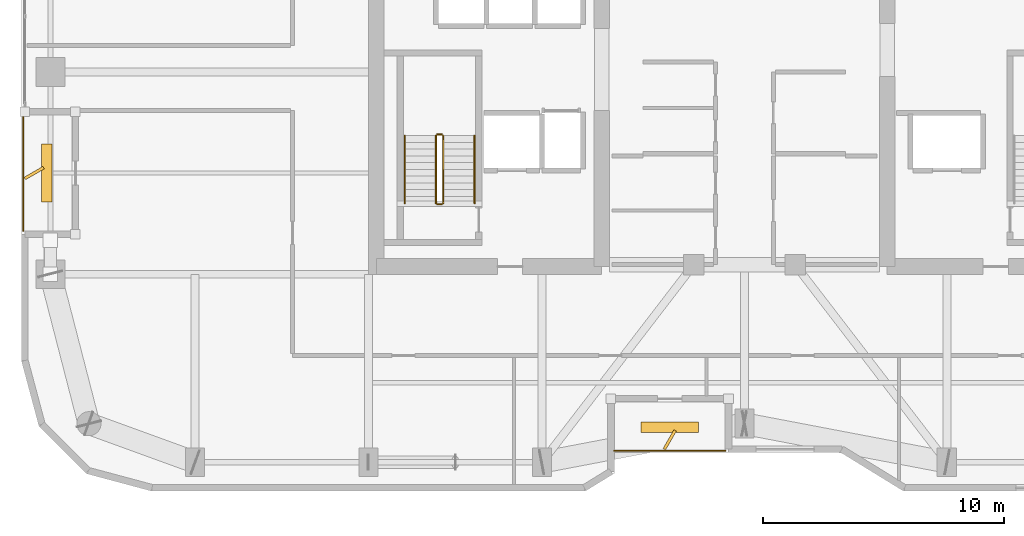
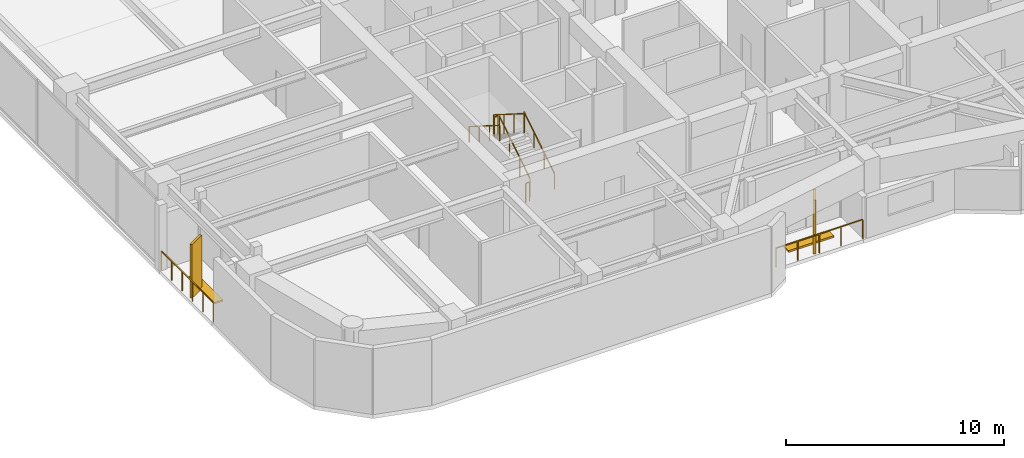
# One storey, part 28 of 30: 8 railings, 4 shading devices.
"""IFC4 building model written with IfcOpenShell, lengths in metres."""

import ifcopenshell
import ifcopenshell.guid

model = None  # the IFC model being written
_history = None  # IfcOwnerHistory: only IFC2X3 demands one
_inside = {}  # id of a spatial element -> (the spatial element, [elements in it])
_under = {}  # id of a project, library or spatial element -> (it, [spatial elements below it])
_declared = {}  # id of a project -> (the project, [libraries it declares])
_typed = {}  # id of a type object -> (the type object, [elements of that type])
_made_of = {}  # id of a material, layer set ... -> (it, [elements and type objects made of it])


def new_model(schema):
    """Start an empty IFC model of exactly this schema.

    Asked for "IFC4X3", IfcOpenShell would pick the latest addendum, in which some entities
    have other attributes; the version numbers below select the first issue.
    IFC2X3 requires an IfcOwnerHistory on every rooted entity: one is made here for all.
    """
    global model, _history
    if schema == "IFC4X3":
        model = ifcopenshell.file(schema_version=(4, 3, 0, 0))
    else:
        model = ifcopenshell.file(schema=schema)
    _inside.clear()
    _under.clear()
    _declared.clear()
    _typed.clear()
    _made_of.clear()
    _history = None
    if model.schema == "IFC2X3":
        org = make("IfcOrganization", Name="unknown")
        user = make(
            "IfcPersonAndOrganization",
            ThePerson=make("IfcPerson", FamilyName="unknown"),
            TheOrganization=org,
        )
        app = make(
            "IfcApplication",
            ApplicationDeveloper=org,
            Version="unknown",
            ApplicationFullName="unknown",
            ApplicationIdentifier="unknown",
        )
        _history = make(
            "IfcOwnerHistory",
            OwningUser=user,
            OwningApplication=app,
            ChangeAction="ADDED",
            CreationDate=0,
        )
    return model


def make(cls, **values):
    """One entity of the class cls with the attributes given. An attribute that is None is left unset."""
    return model.create_entity(
        cls, **{name: value for name, value in values.items() if value is not None}
    )


def rooted(cls, **values):
    """An entity with a GlobalId (a new one), such as an element, a storey or a relation."""
    return make(cls, GlobalId=ifcopenshell.guid.new(), OwnerHistory=_history, **values)


def si_unit(unit_type, name, prefix=None):
    """IfcSIUnit, for example si_unit("LENGTHUNIT", "METRE", prefix="MILLI")."""
    return make("IfcSIUnit", UnitType=unit_type, Prefix=prefix, Name=name)


def assignment(units):
    """IfcUnitAssignment: the units of a project."""
    return None if units is None else make("IfcUnitAssignment", Units=units)


def point(xyz):
    """IfcCartesianPoint."""
    return None if xyz is None else make("IfcCartesianPoint", Coordinates=xyz)


def direction(xyz):
    """IfcDirection."""
    return None if xyz is None else make("IfcDirection", DirectionRatios=xyz)


def frame(location, z_axis=None, x_axis=None):
    """IfcAxis2Placement3D, a coordinate frame: its origin and axes. An axis left out is left unset."""
    return make(
        "IfcAxis2Placement3D",
        Location=point(location),
        Axis=direction(z_axis),
        RefDirection=direction(x_axis),
    )


def frame_2d(location, x_axis=None):
    """IfcAxis2Placement2D, a coordinate frame in the plane: its origin and x axis."""
    return make(
        "IfcAxis2Placement2D", Location=point(location), RefDirection=direction(x_axis)
    )


def origin():
    """The frame at (0, 0, 0) with its axes left unset."""
    return frame((0.0, 0.0, 0.0))


def origin_2d():
    """The frame at (0, 0) in the plane with its x axis left unset."""
    return frame_2d((0.0, 0.0))


def place(relative_to, where):
    """IfcLocalPlacement: puts the frame where relative to a parent placement (None: the world)."""
    return make(
        "IfcLocalPlacement", PlacementRelTo=relative_to, RelativePlacement=where
    )


def context(
    kind, dimensions, precision=None, world=None, true_north=None, identifier=None
):
    """IfcGeometricRepresentationContext, for example the 3D "Model" context."""
    return make(
        "IfcGeometricRepresentationContext",
        ContextIdentifier=identifier,
        ContextType=kind,
        CoordinateSpaceDimension=dimensions,
        Precision=precision,
        WorldCoordinateSystem=world,
        TrueNorth=true_north,
    )


def subcontext(parent, identifier, kind, view, scale=None):
    """IfcGeometricRepresentationSubContext, for example "Body" below "Model"."""
    return make(
        "IfcGeometricRepresentationSubContext",
        ContextIdentifier=identifier,
        ContextType=kind,
        ParentContext=parent,
        TargetScale=scale,
        TargetView=view,
    )


def project(units=None, contexts=None):
    """IfcProject with its units and contexts."""
    return rooted(
        "IfcProject",
        Name="project",
        RepresentationContexts=contexts,
        UnitsInContext=assignment(units),
    )


def spatial(cls, under=None, at=None, **own):
    """A site, building, storey or space (cls), placed at a placement, below another one or the project."""
    s = rooted(cls, ObjectPlacement=at, **own)
    if under is not None:
        _under.setdefault(under.id(), (under, []))[1].append(s)
    return s


def profile(cls, at=None, kind="AREA", **sizes):
    """A parametric profile (cls). Its sizes go by their IFC names, for example OverallWidth=200.0."""
    return make(cls, ProfileType=kind, Position=at, **sizes)


def rectangle(**sizes):
    """IfcRectangleProfileDef."""
    return profile("IfcRectangleProfileDef", **sizes)


def extrude(swept, where, along, depth):
    """IfcExtrudedAreaSolid: the profile swept, set in the frame where, extruded along a direction by depth."""
    return make(
        "IfcExtrudedAreaSolid",
        SweptArea=swept,
        Position=where,
        ExtrudedDirection=direction(along),
        Depth=depth,
    )


def shape(context_of_items, identifier, shape_type, items):
    """IfcShapeRepresentation: the items that make up one representation, for example the "Body"."""
    return make(
        "IfcShapeRepresentation",
        ContextOfItems=context_of_items,
        RepresentationIdentifier=identifier,
        RepresentationType=shape_type,
        Items=items,
    )


def material(Name=None, Category=None):
    """IfcMaterial."""
    return make("IfcMaterial", Name=Name, Category=Category)


def made_of(thing, what):
    """Note that an element or type object is made of a material, layer set ...; save() writes the relation."""
    if what is not None:
        _made_of.setdefault(what.id(), (what, []))[1].append(thing)
    return thing


def type_object(cls, material=None, **own):
    """A type object (cls), such as IfcWallType, which elements share."""
    return made_of(rooted(cls, **own), material)


def element(
    cls,
    number,
    at=None,
    inside=None,
    cuts=None,
    type_object=None,
    material=None,
    context=None,
    identifier="Body",
    shape_type=None,
    held_by="IfcProductDefinitionShape",
    body=None,
    shapes=None,
    **own,
):
    """One element of the class cls, such as IfcWall. Its Tag is "e" and its number.

    at: its placement. inside: the storey or other place that contains it. cuts: it is an
    opening in that element (IfcRelVoidsElement). A single representation is given by context,
    identifier, shape_type and body (its items); several are given by shapes. held_by: the class
    of the entity that holds the representations. save() writes the other relations.
    """
    e = rooted(cls, Tag="e%d" % number, ObjectPlacement=at, **own)
    if body is not None:
        shapes = [shape(context, identifier, shape_type, body)]
    if shapes is not None:
        e.Representation = make(held_by, Representations=shapes)
    if inside is not None:
        _inside.setdefault(inside.id(), (inside, []))[1].append(e)
    if cuts is not None:
        rooted(
            "IfcRelVoidsElement", RelatingBuildingElement=cuts, RelatedOpeningElement=e
        )
    if type_object is not None:
        _typed.setdefault(type_object.id(), (type_object, []))[1].append(e)
    return made_of(e, material)


def aggregate(whole, parts):
    """IfcRelAggregates: a whole, such as a stair, and the parts it consists of."""
    return rooted("IfcRelAggregates", RelatingObject=whole, RelatedObjects=parts)


def save(model, path):
    """Write the relations noted so far, then the file.

    IfcRelAggregates (storeys below a building ...), IfcRelContainedInSpatialStructure (elements
    in a storey), IfcRelDefinesByType, IfcRelAssociatesMaterial and IfcRelDeclares: one each for
    every whole, place, type object, material and project.
    """
    for whole, parts in _under.values():
        aggregate(whole, parts)
    for where, things in _inside.values():
        rooted(
            "IfcRelContainedInSpatialStructure",
            RelatedElements=things,
            RelatingStructure=where,
        )
    for kind, things in _typed.values():
        rooted("IfcRelDefinesByType", RelatedObjects=things, RelatingType=kind)
    for what, things in _made_of.values():
        rooted("IfcRelAssociatesMaterial", RelatedObjects=things, RelatingMaterial=what)
    for by, libraries in _declared.values():
        rooted("IfcRelDeclares", RelatingContext=by, RelatedDefinitions=libraries)
    model.write(path)


model = new_model("IFC4")

# Units and contexts
model_context = context("Model", 3, precision=1e-05, world=origin(), true_north=direction((0.0, 1.0)))
body_context = subcontext(model_context, "Body", "Model", "MODEL_VIEW")
ifc_project = project(units=[si_unit("LENGTHUNIT", "METRE"), si_unit("AREAUNIT", "SQUARE_METRE"), si_unit("VOLUMEUNIT", "CUBIC_METRE"), si_unit("PLANEANGLEUNIT", "RADIAN"), si_unit("MASSUNIT", "GRAM", prefix="KILO")], contexts=[model_context])

# Site, building, storey
site_placement = place(None, origin())
site = spatial("IfcSite", under=ifc_project, at=site_placement, CompositionType="ELEMENT")
building_placement = place(site_placement, origin())
building = spatial("IfcBuilding", under=site, at=building_placement, Name="Kiyonajd Concourse Tower", CompositionType="ELEMENT")
storey_placement = place(building_placement, frame((0.0, 0.0, 194.10009765625)))
storey = spatial("IfcBuildingStorey", under=building, at=storey_placement, Name="L49", CompositionType="ELEMENT", Elevation=194.10009765625)

# Railings
ifc_material_1 = material(Name="Thermally Broken Anodised Aluminium", Category="aluminium")
railing_type_1 = type_object("IfcRailingType", Name="RL-GRD-LOG", PredefinedType="GUARDRAIL", material=ifc_material_1)
railing_1_placement = place(storey_placement, frame((42.60009765625, 20.280029296875, 0.0)))
element("IfcRailing", 1, at=railing_1_placement, inside=storey, type_object=railing_type_1, Name="L49 Engawa Loggia Perimeter Guard LOG-S", PredefinedType="GUARDRAIL", context=body_context, shape_type="SweptSolid", body=[
    extrude(rectangle(XDim=0.048095703125, YDim=0.048095703125, at=origin_2d()), frame((0.0, 0.0, 1.076171875), z_axis=(1.0, 0.0, 0.0), x_axis=(0.0, 1.0, 0.0)), (0.0, 0.0, 1.0), 4.599853515625),
    extrude(rectangle(XDim=0.0419921875, YDim=0.0419921875, at=origin_2d()), origin(), (0.0, 0.0, 1.0), 1.052001953125),
    extrude(rectangle(XDim=0.0419921875, YDim=0.0419921875, at=origin_2d()), frame((1.14990234375, 0.0, 0.0)), (0.0, 0.0, 1.0), 1.052001953125),
    extrude(rectangle(XDim=0.0419921875, YDim=0.0419921875, at=origin_2d()), frame((2.2998046875, 0.0, 0.0)), (0.0, 0.0, 1.0), 1.052001953125),
    extrude(rectangle(XDim=0.0419921875, YDim=0.0419921875, at=origin_2d()), frame((3.449951171875, 0.0, 0.0)), (0.0, 0.0, 1.0), 1.052001953125),
    extrude(rectangle(XDim=0.0419921875, YDim=0.0419921875, at=origin_2d()), frame((4.599853515625, 0.0, 0.0)), (0.0, 0.0, 1.0), 1.052001953125),
])
railing_2_placement = place(storey_placement, frame((18.080078125, 34.199951171875, 0.0)))
element("IfcRailing", 2, at=railing_2_placement, inside=storey, type_object=railing_type_1, Name="L49 Engawa Loggia Perimeter Guard LOG-W", PredefinedType="GUARDRAIL", context=body_context, shape_type="SweptSolid", body=[
    extrude(rectangle(XDim=0.048095703125, YDim=0.048095703125, at=origin_2d()), frame((0.0, 0.0, 1.076171875), z_axis=(0.0, -1.0, 0.0), x_axis=(1.0, 0.0, 0.0)), (0.0, 0.0, 1.0), 4.800048828125),
    extrude(rectangle(XDim=0.0419921875, YDim=0.0419921875, at=origin_2d()), origin(), (0.0, 0.0, 1.0), 1.052001953125),
    extrude(rectangle(XDim=0.0419921875, YDim=0.0419921875, at=origin_2d()), frame((0.0, -0.9599609375, 0.0)), (0.0, 0.0, 1.0), 1.052001953125),
    extrude(rectangle(XDim=0.0419921875, YDim=0.0419921875, at=origin_2d()), frame((0.0, -1.919921875, 0.0)), (0.0, 0.0, 1.0), 1.052001953125),
    extrude(rectangle(XDim=0.0419921875, YDim=0.0419921875, at=origin_2d()), frame((0.0, -2.880126953125, 0.0)), (0.0, 0.0, 1.0), 1.052001953125),
    extrude(rectangle(XDim=0.0419921875, YDim=0.0419921875, at=origin_2d()), frame((0.0, -3.840087890625, 0.0)), (0.0, 0.0, 1.0), 1.052001953125),
    extrude(rectangle(XDim=0.0419921875, YDim=0.0419921875, at=origin_2d()), frame((0.0, -4.800048828125, 0.0)), (0.0, 0.0, 1.0), 1.052001953125),
])
ifc_material_2 = material(Name="Steel ASTM A500 Grade C", Category="steel")
railing_type_2 = type_object("IfcRailingType", Name="RL-GRD-STR", PredefinedType="GUARDRAIL", material=ifc_material_2)
railing_3_placement = place(storey_placement, frame((35.5, 30.550048828125, 0.17724609375)))
element("IfcRailing", 3, at=railing_3_placement, inside=storey, type_object=railing_type_2, Name="L49 ST1 stair guard 1", PredefinedType="GUARDRAIL", context=body_context, shape_type="SweptSolid", body=[
    extrude(rectangle(XDim=0.048095703125, YDim=0.048095703125, at=origin_2d()), frame((0.0, 0.0, 1.076171875), z_axis=(0.0, 0.844908973607, 0.534910110503), x_axis=(-1.0, 0.0, 0.0)), (0.0, 0.0, 1.0), 3.31396484375),
    extrude(rectangle(XDim=0.0419921875, YDim=0.0419921875, at=origin_2d()), origin(), (0.0, 0.0, 1.0), 1.052001953125),
    extrude(rectangle(XDim=0.0419921875, YDim=0.0419921875, at=origin_2d()), frame((0.0, 0.933349609375, 0.5908203125)), (0.0, 0.0, 1.0), 1.052001953125),
    extrude(rectangle(XDim=0.0419921875, YDim=0.0419921875, at=origin_2d()), frame((0.0, 1.86669921875, 1.181884765625)), (0.0, 0.0, 1.0), 1.052001953125),
    extrude(rectangle(XDim=0.0419921875, YDim=0.0419921875, at=origin_2d()), frame((0.0, 2.800048828125, 1.772705078125)), (0.0, 0.0, 1.0), 1.052001953125),
])
railing_4_placement = place(storey_placement, frame((35.449951171875, 33.39990234375, 1.949951171875)))
element("IfcRailing", 4, at=railing_4_placement, inside=storey, type_object=railing_type_2, Name="L49 ST1 stair guard 2", PredefinedType="GUARDRAIL", context=body_context, shape_type="SweptSolid", body=[
    extrude(rectangle(XDim=0.048095703125, YDim=0.048095703125, at=origin_2d()), frame((0.0, 0.0, 1.076171875), z_axis=(-1.0, 0.0, 0.0), x_axis=(0.0, -1.0, 0.0)), (0.0, 0.0, 1.0), 0.199951171875),
    extrude(rectangle(XDim=0.0419921875, YDim=0.0419921875, at=origin_2d()), origin(), (0.0, 0.0, 1.0), 1.052001953125),
    extrude(rectangle(XDim=0.0419921875, YDim=0.0419921875, at=origin_2d()), frame((-0.199951171875, 0.0, 0.0)), (0.0, 0.0, 1.0), 1.052001953125),
])
railing_5_placement = place(storey_placement, frame((35.199951171875, 33.35009765625, 2.127197265625)))
element("IfcRailing", 5, at=railing_5_placement, inside=storey, type_object=railing_type_2, Name="L49 ST1 stair guard 3", PredefinedType="GUARDRAIL", context=body_context, shape_type="SweptSolid", body=[
    extrude(rectangle(XDim=0.048095703125, YDim=0.048095703125, at=origin_2d()), frame((0.0, 0.0, 1.076171875), z_axis=(0.0, -0.844908973607, 0.534910110503), x_axis=(1.0, 0.0, 0.0)), (0.0, 0.0, 1.0), 3.31396484375),
    extrude(rectangle(XDim=0.0419921875, YDim=0.0419921875, at=origin_2d()), origin(), (0.0, 0.0, 1.0), 1.052001953125),
    extrude(rectangle(XDim=0.0419921875, YDim=0.0419921875, at=origin_2d()), frame((0.0, -0.933349609375, 0.5908203125)), (0.0, 0.0, 1.0), 1.052001953125),
    extrude(rectangle(XDim=0.0419921875, YDim=0.0419921875, at=origin_2d()), frame((0.0, -1.86669921875, 1.181884765625)), (0.0, 0.0, 1.0), 1.052001953125),
    extrude(rectangle(XDim=0.0419921875, YDim=0.0419921875, at=origin_2d()), frame((0.0, -2.800048828125, 1.772705078125)), (0.0, 0.0, 1.0), 1.052001953125),
])
railing_6_placement = place(storey_placement, frame((35.449951171875, 30.5, 0.0)))
element("IfcRailing", 6, at=railing_6_placement, inside=storey, type_object=railing_type_2, Name="L49 ST1 stair guard 4", PredefinedType="GUARDRAIL", context=body_context, shape_type="SweptSolid", body=[
    extrude(rectangle(XDim=0.048095703125, YDim=0.048095703125, at=origin_2d()), frame((0.0, 0.0, 1.076171875), z_axis=(-1.0, 0.0, 0.0), x_axis=(0.0, -1.0, 0.0)), (0.0, 0.0, 1.0), 0.199951171875),
    extrude(rectangle(XDim=0.0419921875, YDim=0.0419921875, at=origin_2d()), origin(), (0.0, 0.0, 1.0), 1.052001953125),
    extrude(rectangle(XDim=0.0419921875, YDim=0.0419921875, at=origin_2d()), frame((-0.199951171875, 0.0, 0.0)), (0.0, 0.0, 1.0), 1.052001953125),
])
ifc_material_3 = material(Name="Brushed Stainless Steel Cab Assembly", Category="steel")
railing_type_3 = type_object("IfcRailingType", Name="RL-HND-900", PredefinedType="HANDRAIL", material=ifc_material_3)
railing_7_placement = place(storey_placement, frame((36.800048828125, 30.550048828125, 0.17724609375)))
element("IfcRailing", 7, at=railing_7_placement, inside=storey, type_object=railing_type_3, Name="L49 ST1 stair handrail 1", PredefinedType="HANDRAIL", context=body_context, shape_type="SweptSolid", body=[
    extrude(rectangle(XDim=0.048095703125, YDim=0.048095703125, at=origin_2d()), frame((0.0, 0.0, 0.8759765625), z_axis=(0.0, 0.844908973607, 0.534910110503), x_axis=(-1.0, 0.0, 0.0)), (0.0, 0.0, 1.0), 3.31396484375),
    extrude(rectangle(XDim=0.0419921875, YDim=0.0419921875, at=origin_2d()), origin(), (0.0, 0.0, 1.0), 0.851806640625),
    extrude(rectangle(XDim=0.0419921875, YDim=0.0419921875, at=origin_2d()), frame((0.0, 0.933349609375, 0.5908203125)), (0.0, 0.0, 1.0), 0.851806640625),
    extrude(rectangle(XDim=0.0419921875, YDim=0.0419921875, at=origin_2d()), frame((0.0, 1.86669921875, 1.181884765625)), (0.0, 0.0, 1.0), 0.851806640625),
    extrude(rectangle(XDim=0.0419921875, YDim=0.0419921875, at=origin_2d()), frame((0.0, 2.800048828125, 1.772705078125)), (0.0, 0.0, 1.0), 0.851806640625),
])
railing_8_placement = place(storey_placement, frame((33.89990234375, 33.35009765625, 2.127197265625)))
element("IfcRailing", 8, at=railing_8_placement, inside=storey, type_object=railing_type_3, Name="L49 ST1 stair handrail 2", PredefinedType="HANDRAIL", context=body_context, shape_type="SweptSolid", body=[
    extrude(rectangle(XDim=0.048095703125, YDim=0.048095703125, at=origin_2d()), frame((0.0, 0.0, 0.8759765625), z_axis=(0.0, -0.844908973607, 0.534910110503), x_axis=(1.0, 0.0, 0.0)), (0.0, 0.0, 1.0), 3.31396484375),
    extrude(rectangle(XDim=0.0419921875, YDim=0.0419921875, at=origin_2d()), origin(), (0.0, 0.0, 1.0), 0.851806640625),
    extrude(rectangle(XDim=0.0419921875, YDim=0.0419921875, at=origin_2d()), frame((0.0, -0.933349609375, 0.5908203125)), (0.0, 0.0, 1.0), 0.851806640625),
    extrude(rectangle(XDim=0.0419921875, YDim=0.0419921875, at=origin_2d()), frame((0.0, -1.86669921875, 1.181884765625)), (0.0, 0.0, 1.0), 0.851806640625),
    extrude(rectangle(XDim=0.0419921875, YDim=0.0419921875, at=origin_2d()), frame((0.0, -2.800048828125, 1.772705078125)), (0.0, 0.0, 1.0), 0.851806640625),
])

# Shading devices
ifc_material_4 = material(Name="Precast concrete C50/60", Category="concrete")
shading_device_type_1 = type_object("IfcShadingDeviceType", Name="SH-FIN-900", PredefinedType="USERDEFINED", material=ifc_material_4)
for number, where, z_axis, x_axis, name in (
    (9, (44.89990234375, 20.72998046875, 0.0), (0.0, 0.0, 1.0), (0.5, 0.866025403784, 0.0), "L49 Angled Koshi Solar Fin LOG-S"),
    (10, (18.530029296875, 31.800048828125, 0.0), (0.0, 0.0, 1.0), (0.866025403784, 0.5, 0.0), "L49 Angled Koshi Solar Fin LOG-W"),
):
    element("IfcShadingDevice", number, at=place(storey_placement, frame(where, z_axis=z_axis, x_axis=x_axis)), inside=storey, type_object=shading_device_type_1, Name=name, ObjectType="FIN", PredefinedType="USERDEFINED", context=body_context, shape_type="SweptSolid", body=[
        extrude(rectangle(XDim=0.89990234375, YDim=0.1201171875, at=origin_2d()), origin(), (0.0, 0.0, 1.0), 3.0),
    ])
shading_device_type_2 = type_object("IfcShadingDeviceType", Name="SH-LVR-600", PredefinedType="JALOUSIE", material=ifc_material_1)
for number, where, z_axis, x_axis, name in (
    (11, (44.89990234375, 21.25, -0.000244140625), (0.0, 0.0, 1.0), (1.0, 0.0, 0.0), "L49 Loggia Threshold Louver LOG-S"),
    (12, (19.050048828125, 31.800048828125, -0.000244140625), (0.0, 0.0, 1.0), (0.0, 1.0, 0.0), "L49 Loggia Threshold Louver LOG-W"),
):
    element("IfcShadingDevice", number, at=place(storey_placement, frame(where, z_axis=z_axis, x_axis=x_axis)), inside=storey, type_object=shading_device_type_2, Name=name, PredefinedType="JALOUSIE", context=body_context, shape_type="SweptSolid", body=[
        extrude(rectangle(XDim=2.39990234375, YDim=0.449951171875, at=origin_2d()), origin(), (0.0, 0.0, 1.0), 0.10009765625),
    ])

save(model, "model.ifc")
